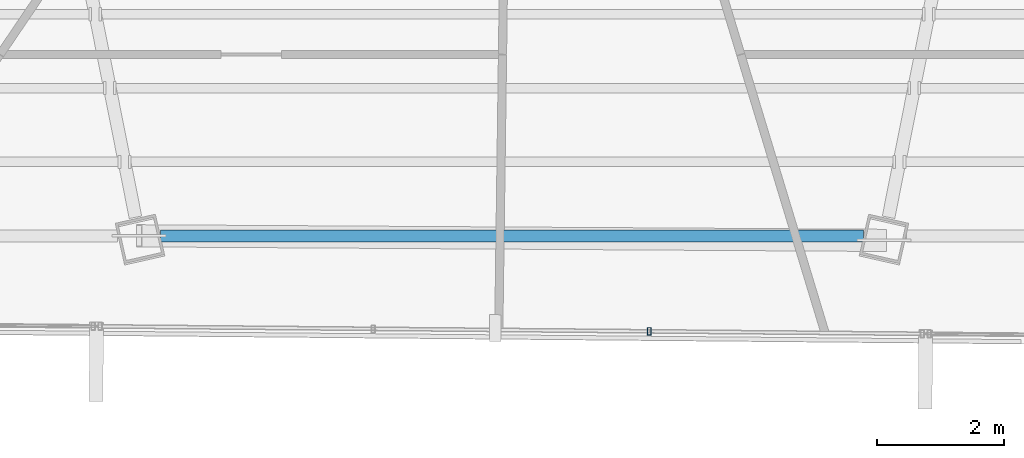
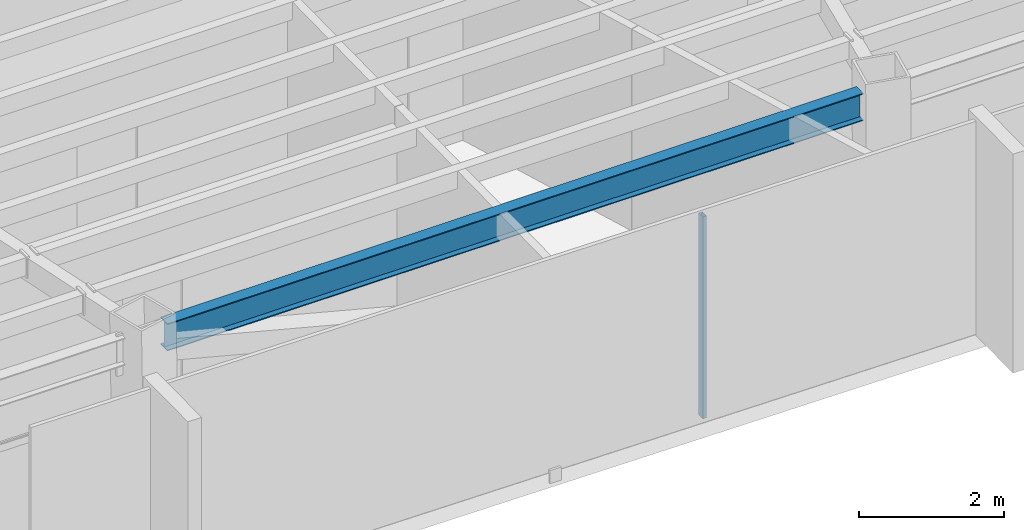
# One storey, part 13 of 47: 1 beam, 1 member, 1 element without a shape of its own.
"""IFC4 building model written with IfcOpenShell, lengths in metres."""

from ifc_helpers import new_model, si_unit, direction, frame, origin, origin_2d, place, context, subcontext, project, spatial, hollow_rectangle, i_section, extrude, source, transform, mapped, material, material_profile, profile_set, type_object, type_shapes, element, aggregate, save


model = new_model("IFC4")

# Units and contexts
model_context = context("Model", 3, precision=1e-05, world=origin(), true_north=direction((0.0, 1.0)))
body_context = subcontext(model_context, "Body", "Model", "MODEL_VIEW")
ifc_project = project(units=[si_unit("LENGTHUNIT", "METRE"), si_unit("AREAUNIT", "SQUARE_METRE"), si_unit("VOLUMEUNIT", "CUBIC_METRE"), si_unit("PLANEANGLEUNIT", "RADIAN"), si_unit("MASSUNIT", "GRAM", prefix="KILO")], contexts=[model_context])

# Site, building, storey
site_placement = place(None, origin())
site = spatial("IfcSite", under=ifc_project, at=site_placement, CompositionType="ELEMENT")
building_placement = place(site_placement, origin())
building = spatial("IfcBuilding", under=site, at=building_placement, Name="Caelisora Broadcast Tower", CompositionType="ELEMENT")
storey_placement = place(building_placement, frame((0.0, 0.0, 248.10009765625)))
storey = spatial("IfcBuildingStorey", under=building, at=storey_placement, Name="L65", CompositionType="ELEMENT", Elevation=248.10009765625)

# Beam
ifc_material_1 = material(Name="Steel Grade 350 (AS/NZS 3679.1)", Category="steel")
ifc_material_profile_1 = material_profile(ifc_material_1, i_section(OverallWidth=0.19091796875, OverallDepth=0.46044921875, WebThickness=0.010009765625, FlangeThickness=0.01611328125, at=origin_2d()), Name="Steel Grade 350 (AS/NZS 3679.1)")
ifc_profile_set_1 = profile_set([ifc_material_profile_1], Name="Steel Grade 350 (AS/NZS 3679.1)")
beam_type = type_object("IfcBeamType", Name="PG06", PredefinedType="BEAM", material=ifc_profile_set_1)
shared_shape_1 = source(origin(), body_context, "Body", "SweptSolid", [
    extrude(i_section(OverallWidth=0.19091796875, OverallDepth=0.46044921875, WebThickness=0.010009765625, FlangeThickness=0.01611328125, at=origin_2d()), origin(), (0.0, 0.0, 1.0), 11.09130859375),
])
type_shapes(beam_type, [shared_shape_1])
beam_placement = place(storey_placement, frame((32.454345703125, 9.23974609375, 3.169677734375), z_axis=(1.0, 0.0, 0.0), x_axis=(0.0, 1.0, 0.0)))
element("IfcBeam", 1, at=beam_placement, inside=storey, type_object=beam_type, Name="L65 beam PG06", PredefinedType="BEAM", context=body_context, shape_type="MappedRepresentation", body=[
    mapped(shared_shape_1, transform((0.0, 0.0, 0.0), scale=1.0)),
])

# Curtain wall, member
ifc_material_2 = material(Name="Unitised Aluminium Insulated Shadow-Box Spandrel Curtain Wall", Category="aluminium")
curtain_wall_type = type_object("IfcCurtainWallType", Name="CW-SP3", PredefinedType="NOTDEFINED", material=ifc_material_2)
curtain_wall_placement = place(storey_placement, origin())
curtain_wall = element("IfcCurtainWall", 2, at=curtain_wall_placement, inside=storey, type_object=curtain_wall_type, Name="L65 curtain wall CW-SP3", PredefinedType="NOTDEFINED")
ifc_material_3 = material(Name="Aluminium 6063-T6 Anodised Terracotta Bronze", Category="aluminium")
ifc_material_profile_2 = material_profile(ifc_material_3, hollow_rectangle(XDim=0.06005859375, YDim=0.1201171875, WallThickness=0.0029296875, at=origin_2d()), Name="Aluminium 6063-T6 Anodised Terracotta Bronze")
ifc_profile_set_2 = profile_set([ifc_material_profile_2], Name="Aluminium 6063-T6 Anodised Terracotta Bronze")
member_type = type_object("IfcMemberType", Name="CWM-04", PredefinedType="MULLION", material=ifc_profile_set_2)
shared_shape_2 = source(origin(), body_context, "Body", "SweptSolid", [
    extrude(hollow_rectangle(XDim=0.06005859375, YDim=0.1201171875, WallThickness=0.0029296875, at=origin_2d()), origin(), (0.0, 0.0, 1.0), 3.39990234375),
])
type_shapes(member_type, [shared_shape_2])
member_placement = place(storey_placement, frame((40.166259765625, 7.732421875, 0.0), z_axis=(0.0, 0.0, 1.0), x_axis=(1.0, 0.0, 0.0)))
member = element("IfcMember", 3, at=member_placement, type_object=member_type, Name="L65-CW-B06 mullion #1", PredefinedType="MULLION", context=body_context, shape_type="MappedRepresentation", body=[
    mapped(shared_shape_2, transform((0.0, 0.0, 0.0), scale=1.0)),
])
aggregate(curtain_wall, [member])

save(model, "model.ifc")
